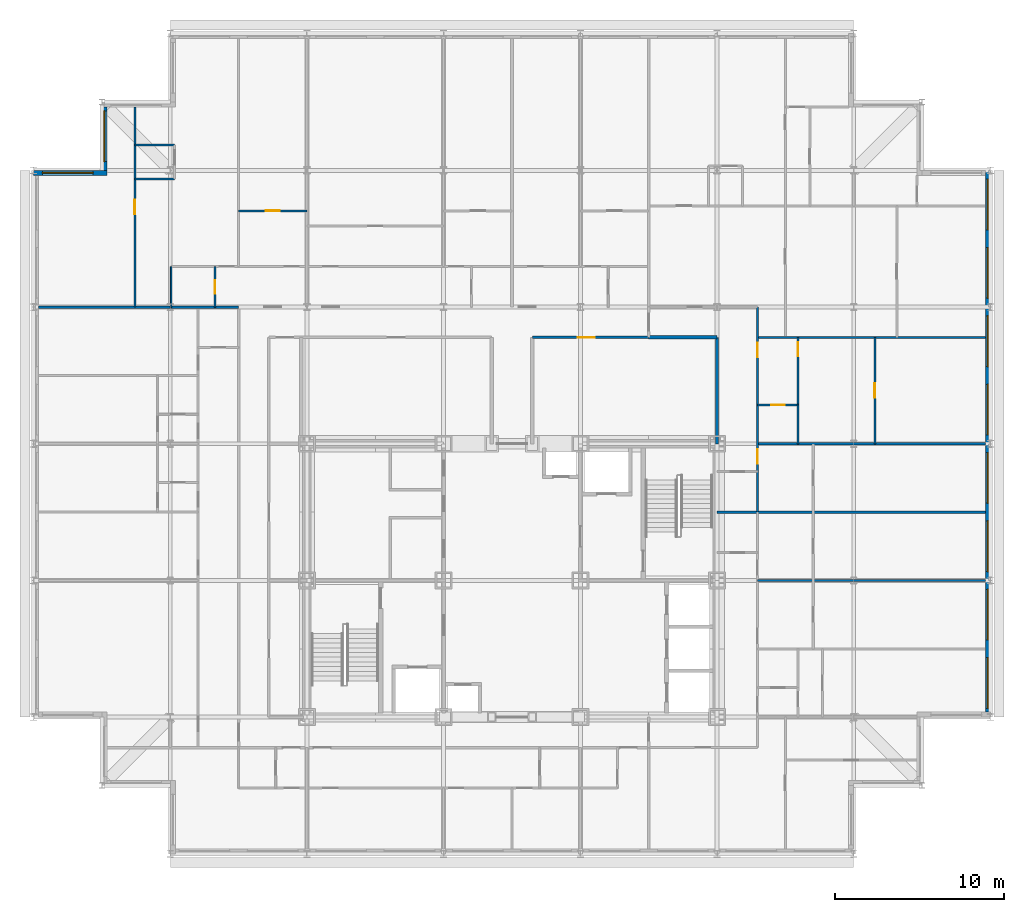
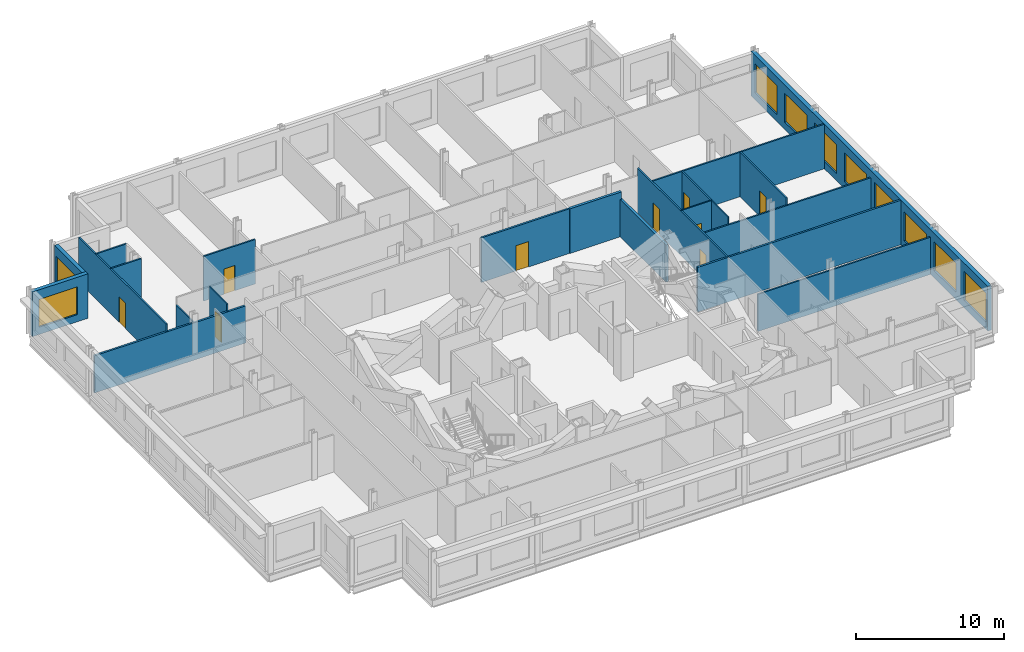
# One storey, part 11 of 15: 22 walls, 10 windows, 9 doors, 19 openings.
"""IFC4 building model written with IfcOpenShell, lengths in metres."""

from ifc_helpers import new_model, si_unit, direction, frame, frame_2d, origin, place, context, subcontext, project, spatial, rectangle, extrude, material, layer, layer_set, type_object, element, fill, save


model = new_model("IFC4")

# Units and contexts
model_context = context("Model", 3, precision=1e-05, world=origin(), true_north=direction((0.0, 1.0)))
body_context = subcontext(model_context, "Body", "Model", "MODEL_VIEW")
ifc_project = project(units=[si_unit("LENGTHUNIT", "METRE"), si_unit("AREAUNIT", "SQUARE_METRE"), si_unit("VOLUMEUNIT", "CUBIC_METRE"), si_unit("PLANEANGLEUNIT", "RADIAN"), si_unit("MASSUNIT", "GRAM", prefix="KILO")], contexts=[model_context])

# Site, building, storey
site_placement = place(None, origin())
site = spatial("IfcSite", under=ifc_project, at=site_placement, CompositionType="ELEMENT")
building_placement = place(site_placement, origin())
building = spatial("IfcBuilding", under=site, at=building_placement, Name="Kopane Lantern Tower", CompositionType="ELEMENT")
storey_placement = place(building_placement, frame((0.0, 0.0, 285.300048828125)))
storey = spatial("IfcBuildingStorey", under=building, at=storey_placement, Name="L73", CompositionType="ELEMENT", Elevation=285.300048828125)

# Wall
ifc_material_1 = material(Name="Gypsum board on steel studs", Category="steel")
ifc_layer_1 = layer(ifc_material_1, 0.1201171875)
ifc_layer_set_1 = layer_set([ifc_layer_1], Name="APARTMENT INTERNAL WALL 120")
wall_type_1 = type_object("IfcWallType", Name="APARTMENT INTERNAL WALL 120", PredefinedType="PARTITIONING", material=ifc_layer_set_1)
wall_1_placement = place(storey_placement, frame((42.89990234375, 32.39990234375, 0.0), z_axis=(0.0, 0.0, 1.0), x_axis=(1.0, 0.0, 0.0)))
element("IfcWall", 1, at=wall_1_placement, inside=storey, type_object=wall_type_1, Name="Apartment Internal Wall 120 L73", PredefinedType="PARTITIONING", context=body_context, shape_type="SweptSolid", body=[
    extrude(rectangle(XDim=13.5, YDim=0.1201171875, at=frame_2d((6.75, 0.0))), origin(), (0.0, 0.0, 1.0), 3.07763671875),
])

# Wall, openings, doors
wall_2_placement = place(storey_placement, frame((42.89990234375, 48.60009765625, 0.0), z_axis=(0.0, 0.0, 1.0), x_axis=(0.0, -1.0, 0.0)))
wall_2 = element("IfcWall", 2, at=wall_2_placement, inside=storey, type_object=wall_type_1, Name="Apartment Internal Wall 120 L73", PredefinedType="PARTITIONING", context=body_context, shape_type="SweptSolid", body=[
    extrude(rectangle(XDim=12.150146484375, YDim=0.1201171875, at=frame_2d((6.0751953125, 0.0))), origin(), (0.0, 0.0, 1.0), 3.68994140625),
])
opening_1_placement = place(wall_2_placement, frame((2.125, 0.0, 0.0)))
opening_1 = element("IfcOpeningElement", 3, at=opening_1_placement, cuts=wall_2, Name="Opening L73-052", PredefinedType="OPENING", context=body_context, shape_type="SweptSolid", body=[
    extrude(rectangle(XDim=0.85009765625, YDim=2.10009765625, at=frame_2d((0.425048828125, 1.050048828125))), frame((0.0, 0.070068359375, 0.0), z_axis=(0.0, -1.0, 0.0), x_axis=(1.0, 0.0, 0.0)), (0.0, 0.0, 1.0), 0.14013671875),
])
opening_2_placement = place(wall_2_placement, frame((8.425048828125, 0.0, 0.0)))
opening_2 = element("IfcOpeningElement", 4, at=opening_2_placement, cuts=wall_2, Name="Opening L73-053", PredefinedType="OPENING", context=body_context, shape_type="SweptSolid", body=[
    extrude(rectangle(XDim=0.85009765625, YDim=2.10009765625, at=frame_2d((0.425048828125, 1.050048828125))), frame((0.0, 0.070068359375, 0.0), z_axis=(0.0, -1.0, 0.0), x_axis=(1.0, 0.0, 0.0)), (0.0, 0.0, 1.0), 0.14013671875),
])
ifc_material_2 = material(Name="Timber door set", Category="wood")
door_type_1 = type_object("IfcDoorType", Name="DOOR D4 850x2100", OperationType="SINGLE_SWING_LEFT", PredefinedType="DOOR", material=ifc_material_2)
door_1_placement = place(opening_1_placement, origin())
door_1 = element("IfcDoor", 5, at=door_1_placement, inside=storey, type_object=door_type_1, Name="Door L73-052", OperationType="SINGLE_SWING_LEFT", OverallHeight=2.10009765625, OverallWidth=0.85009765625, PredefinedType="DOOR", context=body_context, shape_type="SweptSolid", body=[
    extrude(rectangle(XDim=0.85009765625, YDim=2.10009765625, at=frame_2d((0.425048828125, 1.050048828125))), frame((0.0, 0.02490234375, 0.0), z_axis=(0.0, -1.0, 0.0), x_axis=(1.0, 0.0, 0.0)), (0.0, 0.0, 1.0), 0.050048828125),
])
fill(opening_1, door_1)
door_2_placement = place(opening_2_placement, origin())
door_2 = element("IfcDoor", 6, at=door_2_placement, inside=storey, type_object=door_type_1, Name="Door L73-053", OperationType="SINGLE_SWING_LEFT", OverallHeight=2.10009765625, OverallWidth=0.85009765625, PredefinedType="DOOR", context=body_context, shape_type="SweptSolid", body=[
    extrude(rectangle(XDim=0.85009765625, YDim=2.10009765625, at=frame_2d((0.425048828125, 1.050048828125))), frame((0.0, 0.02490234375, 0.0), z_axis=(0.0, -1.0, 0.0), x_axis=(1.0, 0.0, 0.0)), (0.0, 0.0, 1.0), 0.050048828125),
])
fill(opening_2, door_2)

# Walls
wall_3_placement = place(storey_placement, frame((42.89990234375, 46.800048828125, 0.0), z_axis=(0.0, 0.0, 1.0), x_axis=(1.0, 0.0, 0.0)))
element("IfcWall", 7, at=wall_3_placement, inside=storey, type_object=wall_type_1, Name="Apartment Internal Wall 120 L73", PredefinedType="PARTITIONING", context=body_context, shape_type="SweptSolid", body=[
    extrude(rectangle(XDim=13.5, YDim=0.1201171875, at=frame_2d((6.75, 0.0))), origin(), (0.0, 0.0, 1.0), 3.68994140625),
])
wall_4_placement = place(storey_placement, frame((42.89990234375, 40.5, 0.0), z_axis=(0.0, 0.0, 1.0), x_axis=(1.0, 0.0, 0.0)))
element("IfcWall", 8, at=wall_4_placement, inside=storey, type_object=wall_type_1, Name="Apartment Internal Wall 120 L73", PredefinedType="PARTITIONING", context=body_context, shape_type="SweptSolid", body=[
    extrude(rectangle(XDim=13.5, YDim=0.1201171875, at=frame_2d((6.75, 0.0))), origin(), (0.0, 0.0, 1.0), 3.07763671875),
])

# Wall, opening, door
wall_5_placement = place(storey_placement, frame((45.300048828125, 46.800048828125, 0.0), z_axis=(0.0, 0.0, 1.0), x_axis=(0.0, -1.0, 0.0)))
wall_5 = element("IfcWall", 9, at=wall_5_placement, inside=storey, type_object=wall_type_1, Name="Apartment Internal Wall 120 L73", PredefinedType="PARTITIONING", context=body_context, shape_type="SweptSolid", body=[
    extrude(rectangle(XDim=4.010009765625, YDim=0.1201171875, at=frame_2d((2.0048828125, 0.0))), origin(), (0.0, 0.0, 1.0), 3.68994140625),
])
opening_3_placement = place(wall_5_placement, frame((0.27490234375, 0.0, 0.0)))
opening_3 = element("IfcOpeningElement", 10, at=opening_3_placement, cuts=wall_5, Name="Opening L73-059", PredefinedType="OPENING", context=body_context, shape_type="SweptSolid", body=[
    extrude(rectangle(XDim=0.85009765625, YDim=2.10009765625, at=frame_2d((0.425048828125, 1.050048828125))), frame((0.0, 0.070068359375, 0.0), z_axis=(0.0, -1.0, 0.0), x_axis=(1.0, 0.0, 0.0)), (0.0, 0.0, 1.0), 0.14013671875),
])
door_3_placement = place(opening_3_placement, origin())
door_3 = element("IfcDoor", 11, at=door_3_placement, inside=storey, type_object=door_type_1, Name="Door L73-059", OperationType="SINGLE_SWING_LEFT", OverallHeight=2.10009765625, OverallWidth=0.85009765625, PredefinedType="DOOR", context=body_context, shape_type="SweptSolid", body=[
    extrude(rectangle(XDim=0.85009765625, YDim=2.10009765625, at=frame_2d((0.425048828125, 1.050048828125))), frame((0.0, 0.02490234375, 0.0), z_axis=(0.0, -1.0, 0.0), x_axis=(1.0, 0.0, 0.0)), (0.0, 0.0, 1.0), 0.050048828125),
])
fill(opening_3, door_3)

wall_6_placement = place(storey_placement, frame((12.14990234375, 54.300048828125, 0.0), z_axis=(0.0, 0.0, 1.0), x_axis=(1.0, 0.0, 0.0)))
wall_6 = element("IfcWall", 12, at=wall_6_placement, inside=storey, type_object=wall_type_1, Name="Apartment Internal Wall 120 L73", PredefinedType="PARTITIONING", context=body_context, shape_type="SweptSolid", body=[
    extrude(rectangle(XDim=4.050048828125, YDim=0.1201171875, at=frame_2d((2.02490234375, 0.0))), origin(), (0.0, 0.0, 1.0), 3.68994140625),
])
opening_4_placement = place(wall_6_placement, frame((1.60009765625, 0.0, 0.0)))
opening_4 = element("IfcOpeningElement", 13, at=opening_4_placement, cuts=wall_6, Name="Opening L73-063", PredefinedType="OPENING", context=body_context, shape_type="SweptSolid", body=[
    extrude(rectangle(XDim=0.85009765625, YDim=2.10009765625, at=frame_2d((0.425048828125, 1.050048828125))), frame((0.0, 0.070068359375, 0.0), z_axis=(0.0, -1.0, 0.0), x_axis=(1.0, 0.0, 0.0)), (0.0, 0.0, 1.0), 0.14013671875),
])
door_4_placement = place(opening_4_placement, origin())
door_4 = element("IfcDoor", 14, at=door_4_placement, inside=storey, type_object=door_type_1, Name="Door L73-063", OperationType="SINGLE_SWING_RIGHT", OverallHeight=2.10009765625, OverallWidth=0.85009765625, PredefinedType="DOOR", context=body_context, shape_type="SweptSolid", body=[
    extrude(rectangle(XDim=0.85009765625, YDim=2.10009765625, at=frame_2d((0.425048828125, 1.050048828125))), frame((0.0, 0.02490234375, 0.0), z_axis=(0.0, -1.0, 0.0), x_axis=(1.0, 0.0, 0.0)), (0.0, 0.0, 1.0), 0.050048828125),
])
fill(opening_4, door_4)

wall_7_placement = place(storey_placement, frame((6.0, 48.60009765625, 0.0), z_axis=(0.0, 0.0, 1.0), x_axis=(0.0, 1.0, 0.0)))
wall_7 = element("IfcWall", 15, at=wall_7_placement, inside=storey, type_object=wall_type_1, Name="Apartment Internal Wall 120 L73", PredefinedType="PARTITIONING", context=body_context, shape_type="SweptSolid", body=[
    extrude(rectangle(XDim=11.849853515625, YDim=0.1201171875, at=frame_2d((5.9248046875, 0.0))), origin(), (0.0, 0.0, 1.0), 3.68994140625),
])
opening_5_placement = place(wall_7_placement, frame((5.5, 0.0, 0.0)))
opening_5 = element("IfcOpeningElement", 16, at=opening_5_placement, cuts=wall_7, Name="Opening L73-064", PredefinedType="OPENING", context=body_context, shape_type="SweptSolid", body=[
    extrude(rectangle(XDim=0.85009765625, YDim=2.10009765625, at=frame_2d((0.425048828125, 1.050048828125))), frame((0.0, 0.070068359375, 0.0), z_axis=(0.0, -1.0, 0.0), x_axis=(1.0, 0.0, 0.0)), (0.0, 0.0, 1.0), 0.14013671875),
])
door_5_placement = place(opening_5_placement, origin())
door_5 = element("IfcDoor", 17, at=door_5_placement, inside=storey, type_object=door_type_1, Name="Door L73-064", OperationType="SINGLE_SWING_LEFT", OverallHeight=2.10009765625, OverallWidth=0.85009765625, PredefinedType="DOOR", context=body_context, shape_type="SweptSolid", body=[
    extrude(rectangle(XDim=0.85009765625, YDim=2.10009765625, at=frame_2d((0.425048828125, 1.050048828125))), frame((0.0, 0.02490234375, 0.0), z_axis=(0.0, -1.0, 0.0), x_axis=(1.0, 0.0, 0.0)), (0.0, 0.0, 1.0), 0.050048828125),
])
fill(opening_5, door_5)

wall_8_placement = place(storey_placement, frame((49.85009765625, 40.5, 0.0), z_axis=(0.0, 0.0, 1.0), x_axis=(0.0, 1.0, 0.0)))
wall_8 = element("IfcWall", 18, at=wall_8_placement, inside=storey, type_object=wall_type_1, Name="Apartment Internal Wall 120 L73", PredefinedType="PARTITIONING", context=body_context, shape_type="SweptSolid", body=[
    extrude(rectangle(XDim=6.300048828125, YDim=0.1201171875, at=frame_2d((3.14990234375, 0.0))), origin(), (0.0, 0.0, 1.0), 3.68994140625),
])
opening_6_placement = place(wall_8_placement, frame((2.72509765625, 0.0, 0.0)))
opening_6 = element("IfcOpeningElement", 19, at=opening_6_placement, cuts=wall_8, Name="Opening L73-071", PredefinedType="OPENING", context=body_context, shape_type="SweptSolid", body=[
    extrude(rectangle(XDim=0.85009765625, YDim=2.10009765625, at=frame_2d((0.425048828125, 1.050048828125))), frame((0.0, 0.070068359375, 0.0), z_axis=(0.0, -1.0, 0.0), x_axis=(1.0, 0.0, 0.0)), (0.0, 0.0, 1.0), 0.14013671875),
])
door_6_placement = place(opening_6_placement, origin())
door_6 = element("IfcDoor", 20, at=door_6_placement, inside=storey, type_object=door_type_1, Name="Door L73-071", OperationType="SINGLE_SWING_LEFT", OverallHeight=2.10009765625, OverallWidth=0.85009765625, PredefinedType="DOOR", context=body_context, shape_type="SweptSolid", body=[
    extrude(rectangle(XDim=0.85009765625, YDim=2.10009765625, at=frame_2d((0.425048828125, 1.050048828125))), frame((0.0, 0.02490234375, 0.0), z_axis=(0.0, -1.0, 0.0), x_axis=(1.0, 0.0, 0.0)), (0.0, 0.0, 1.0), 0.050048828125),
])
fill(opening_6, door_6)

# Walls
for number, where, z_axis, x_axis, name in (
    (21, (6.0, 56.197021484375, 0.0), (0.0, 0.0, 1.0), (1.0, 0.0, 0.0), "Apartment Internal Wall 120 L73"),
    (22, (6.0, 58.202880859375, 0.0), (0.0, 0.0, 1.0), (1.0, 0.0, 0.0), "Apartment Internal Wall 120 L73"),
):
    element("IfcWall", number, at=place(storey_placement, frame(where, z_axis=z_axis, x_axis=x_axis)), inside=storey, type_object=wall_type_1, Name=name, PredefinedType="PARTITIONING", context=body_context, shape_type="SweptSolid", body=[
        extrude(rectangle(XDim=2.363037109375, YDim=0.1201171875, at=frame_2d((1.181640625, 0.0))), origin(), (0.0, 0.0, 1.0), 3.68994140625),
    ])

# Wall, opening, door
ifc_material_3 = material(Name="Moisture-resistant board on steel studs", Category="steel")
ifc_layer_2 = layer(ifc_material_3, 0.10009765625)
ifc_layer_set_2 = layer_set([ifc_layer_2], Name="BATHROOM WALL 100")
wall_type_2 = type_object("IfcWallType", Name="BATHROOM WALL 100", PredefinedType="PARTITIONING", material=ifc_layer_set_2)
wall_9_placement = place(storey_placement, frame((10.75, 48.60009765625, 0.0), z_axis=(0.0, 0.0, 1.0), x_axis=(0.0, 1.0, 0.0)))
wall_9 = element("IfcWall", 23, at=wall_9_placement, inside=storey, type_object=wall_type_2, Name="Bathroom Wall 100 L73", PredefinedType="PARTITIONING", context=body_context, shape_type="SweptSolid", body=[
    extrude(rectangle(XDim=2.39990234375, YDim=0.10009765625, at=frame_2d((1.199951171875, 0.0))), origin(), (0.0, 0.0, 1.0), 3.68994140625),
])
opening_7_placement = place(wall_9_placement, frame((0.800048828125, 0.0, 0.0)))
opening_7 = element("IfcOpeningElement", 24, at=opening_7_placement, cuts=wall_9, Name="Opening L73-035", PredefinedType="OPENING", context=body_context, shape_type="SweptSolid", body=[
    extrude(rectangle(XDim=0.800048828125, YDim=2.10009765625, at=frame_2d((0.39990234375, 1.050048828125))), frame((0.0, 0.06005859375, 0.0), z_axis=(0.0, -1.0, 0.0), x_axis=(1.0, 0.0, 0.0)), (0.0, 0.0, 1.0), 0.1201171875),
])
ifc_material_4 = material(Name="Timber door set", Category="wood")
door_type_2 = type_object("IfcDoorType", Name="DOOR D2 800x2100", OperationType="SINGLE_SWING_LEFT", PredefinedType="DOOR", material=ifc_material_4)
door_7_placement = place(opening_7_placement, origin())
door_7 = element("IfcDoor", 25, at=door_7_placement, inside=storey, type_object=door_type_2, Name="Door L73-035", OperationType="SINGLE_SWING_LEFT", OverallHeight=2.10009765625, OverallWidth=0.800048828125, PredefinedType="DOOR", context=body_context, shape_type="SweptSolid", body=[
    extrude(rectangle(XDim=0.800048828125, YDim=2.10009765625, at=frame_2d((0.39990234375, 1.050048828125))), frame((0.0, 0.02490234375, 0.0), z_axis=(0.0, -1.0, 0.0), x_axis=(1.0, 0.0, 0.0)), (0.0, 0.0, 1.0), 0.050048828125),
])
fill(opening_7, door_7)

# Wall
wall_10_placement = place(storey_placement, frame((8.14990234375, 48.60009765625, 0.0), z_axis=(0.0, 0.0, 1.0), x_axis=(0.0, 1.0, 0.0)))
element("IfcWall", 26, at=wall_10_placement, inside=storey, type_object=wall_type_2, Name="Bathroom Wall 100 L73", PredefinedType="PARTITIONING", context=body_context, shape_type="SweptSolid", body=[
    extrude(rectangle(XDim=2.39990234375, YDim=0.10009765625, at=frame_2d((1.199951171875, 0.0))), origin(), (0.0, 0.0, 1.0), 3.07763671875),
])

# Wall, opening, door
wall_11_placement = place(storey_placement, frame((42.89990234375, 42.800048828125, 0.0), z_axis=(0.0, 0.0, 1.0), x_axis=(1.0, 0.0, 0.0)))
wall_11 = element("IfcWall", 27, at=wall_11_placement, inside=storey, type_object=wall_type_2, Name="Bathroom Wall 100 L73", PredefinedType="PARTITIONING", context=body_context, shape_type="SweptSolid", body=[
    extrude(rectangle(XDim=2.400146484375, YDim=0.10009765625, at=frame_2d((1.2001953125, 0.0))), origin(), (0.0, 0.0, 1.0), 3.68994140625),
])
opening_8_placement = place(wall_11_placement, frame((0.800048828125, 0.0, 0.0)))
opening_8 = element("IfcOpeningElement", 28, at=opening_8_placement, cuts=wall_11, Name="Opening L73-051", PredefinedType="OPENING", context=body_context, shape_type="SweptSolid", body=[
    extrude(rectangle(XDim=0.800048828125, YDim=2.10009765625, at=frame_2d((0.39990234375, 1.050048828125))), frame((0.0, 0.06005859375, 0.0), z_axis=(0.0, -1.0, 0.0), x_axis=(1.0, 0.0, 0.0)), (0.0, 0.0, 1.0), 0.1201171875),
])
door_8_placement = place(opening_8_placement, origin())
door_8 = element("IfcDoor", 29, at=door_8_placement, inside=storey, type_object=door_type_2, Name="Door L73-051", OperationType="SINGLE_SWING_LEFT", OverallHeight=2.10009765625, OverallWidth=0.800048828125, PredefinedType="DOOR", context=body_context, shape_type="SweptSolid", body=[
    extrude(rectangle(XDim=0.800048828125, YDim=2.10009765625, at=frame_2d((0.39990234375, 1.050048828125))), frame((0.0, 0.02490234375, 0.0), z_axis=(0.0, -1.0, 0.0), x_axis=(1.0, 0.0, 0.0)), (0.0, 0.0, 1.0), 0.050048828125),
])
fill(opening_8, door_8)

# Wall
wall_12_placement = place(storey_placement, frame((45.300048828125, 42.800048828125, 0.0), z_axis=(0.0, 0.0, 1.0), x_axis=(0.0, -1.0, 0.0)))
element("IfcWall", 30, at=wall_12_placement, inside=storey, type_object=wall_type_2, Name="Bathroom Wall 100 L73", PredefinedType="PARTITIONING", context=body_context, shape_type="SweptSolid", body=[
    extrude(rectangle(XDim=2.300048828125, YDim=0.10009765625, at=frame_2d((1.14990234375, 0.0))), origin(), (0.0, 0.0, 1.0), 3.68994140625),
])

# Wall, opening, door
ifc_material_5 = material(Name="Gypsum board on steel studs", Category="steel")
ifc_layer_3 = layer(ifc_material_5, 0.14990234375)
ifc_layer_set_3 = layer_set([ifc_layer_3], Name="CORRIDOR WALL 150 EI 60")
wall_type_3 = type_object("IfcWallType", Name="CORRIDOR WALL 150 EI 60", PredefinedType="PARTITIONING", material=ifc_layer_set_3)
wall_13_placement = place(storey_placement, frame((29.56005859375, 46.800048828125, 0.0), z_axis=(0.0, 0.0, 1.0), x_axis=(1.0, 0.0, 0.0)))
wall_13 = element("IfcWall", 31, at=wall_13_placement, inside=storey, type_object=wall_type_3, Name="Corridor Wall 150 Ei 60 L73", PredefinedType="PARTITIONING", context=body_context, shape_type="SweptSolid", body=[
    extrude(rectangle(XDim=6.889892578125, YDim=0.14990234375, at=frame_2d((3.44482421875, 0.0))), origin(), (0.0, 0.0, 1.0), 3.68994140625),
])
opening_9_placement = place(wall_13_placement, frame((2.68994140625, 0.0, 0.0)))
opening_9 = element("IfcOpeningElement", 32, at=opening_9_placement, cuts=wall_13, Name="Opening L73-005", PredefinedType="OPENING", context=body_context, shape_type="SweptSolid", body=[
    extrude(rectangle(XDim=1.0, YDim=2.10009765625, at=frame_2d((0.5, 1.050048828125))), frame((0.0, 0.0849609375, 0.0), z_axis=(0.0, -1.0, 0.0), x_axis=(1.0, 0.0, 0.0)), (0.0, 0.0, 1.0), 0.169921875),
])
ifc_material_6 = material(Name="Steel door set", Category="steel")
door_type_3 = type_object("IfcDoorType", Name="DOOR D5 1000x2100 FD60", OperationType="SINGLE_SWING_LEFT", PredefinedType="DOOR", material=ifc_material_6)
door_9_placement = place(opening_9_placement, origin())
door_9 = element("IfcDoor", 33, at=door_9_placement, inside=storey, type_object=door_type_3, Name="Door L73-005", OperationType="SINGLE_SWING_RIGHT", OverallHeight=2.10009765625, OverallWidth=1.0, PredefinedType="DOOR", context=body_context, shape_type="SweptSolid", body=[
    extrude(rectangle(XDim=1.0, YDim=2.10009765625, at=frame_2d((0.5, 1.050048828125))), frame((0.0, 0.02490234375, 0.0), z_axis=(0.0, -1.0, 0.0), x_axis=(1.0, 0.0, 0.0)), (0.0, 0.0, 1.0), 0.050048828125),
])
fill(opening_9, door_9)

# Walls
ifc_material_7 = material(Name="Gypsum board on steel studs", Category="steel")
ifc_layer_4 = layer(ifc_material_7, 0.14990234375)
ifc_layer_set_4 = layer_set([ifc_layer_4], Name="DEMISING WALL 150 EI 60")
wall_type_4 = type_object("IfcWallType", Name="DEMISING WALL 150 EI 60", PredefinedType="PARTITIONING", material=ifc_layer_set_4)
wall_14_placement = place(storey_placement, frame((0.300048828125, 48.60009765625, 0.0), z_axis=(0.0, 0.0, 1.0), x_axis=(1.0, 0.0, 0.0)))
element("IfcWall", 34, at=wall_14_placement, inside=storey, type_object=wall_type_4, Name="Demising Wall 150 Ei 60 L73", PredefinedType="PARTITIONING", context=body_context, shape_type="SweptSolid", body=[
    extrude(rectangle(XDim=11.849853515625, YDim=0.14990234375, at=frame_2d((5.9248046875, 0.0))), origin(), (0.0, 0.0, 1.0), 3.07763671875),
])
wall_15_placement = place(storey_placement, frame((40.5, 36.449951171875, 0.0), z_axis=(0.0, 0.0, 1.0), x_axis=(1.0, 0.0, 0.0)))
element("IfcWall", 35, at=wall_15_placement, inside=storey, type_object=wall_type_4, Name="Demising Wall 150 Ei 60 L73", PredefinedType="PARTITIONING", context=body_context, shape_type="SweptSolid", body=[
    extrude(rectangle(XDim=15.89990234375, YDim=0.14990234375, at=frame_2d((7.949951171875, 0.0))), origin(), (0.0, 0.0, 1.0), 3.68994140625),
])

# Wall, openings, windows
ifc_material_8 = material(Name="Terracotta rainscreen on light steel framing", Category="masonry")
ifc_layer_5 = layer(ifc_material_8, 0.300048828125)
ifc_layer_set_5 = layer_set([ifc_layer_5], Name="EXTERNAL WALL EW1 300 TERRACOTTA")
wall_type_5 = type_object("IfcWallType", Name="EXTERNAL WALL EW1 300 TERRACOTTA", PredefinedType="SOLIDWALL", material=ifc_layer_set_5)
wall_16_placement = place(storey_placement, frame((56.550048828125, 24.60009765625, 0.0), z_axis=(0.0, 0.0, 1.0), x_axis=(0.0, 1.0, 0.0)))
wall_16 = element("IfcWall", 36, at=wall_16_placement, inside=storey, type_object=wall_type_5, Name="External wall E L73", PredefinedType="SOLIDWALL", context=body_context, shape_type="SweptSolid", body=[
    extrude(rectangle(XDim=32.099853515625, YDim=0.300048828125, at=frame_2d((16.0498046875, 0.0))), origin(), (0.0, 0.0, 1.0), 3.68994140625),
])
opening_10_placement = place(wall_16_placement, frame((0.22509765625, 0.0, 0.60009765625)))
opening_10 = element("IfcOpeningElement", 37, at=opening_10_placement, cuts=wall_16, Name="Opening WR300240", PredefinedType="OPENING", context=body_context, shape_type="SweptSolid", body=[
    extrude(rectangle(XDim=3.0, YDim=2.39990234375, at=frame_2d((1.5, 1.199951171875))), frame((0.0, 0.159912109375, 0.0), z_axis=(0.0, -1.0, 0.0), x_axis=(1.0, 0.0, 0.0)), (0.0, 0.0, 1.0), 0.320068359375),
])
opening_11_placement = place(wall_16_placement, frame((4.27490234375, 0.0, 0.60009765625)))
opening_11 = element("IfcOpeningElement", 38, at=opening_11_placement, cuts=wall_16, Name="Opening WR300240", PredefinedType="OPENING", context=body_context, shape_type="SweptSolid", body=[
    extrude(rectangle(XDim=3.0, YDim=2.39990234375, at=frame_2d((1.5, 1.199951171875))), frame((0.0, 0.159912109375, 0.0), z_axis=(0.0, -1.0, 0.0), x_axis=(1.0, 0.0, 0.0)), (0.0, 0.0, 1.0), 0.320068359375),
])
opening_12_placement = place(wall_16_placement, frame((8.324951171875, 0.0, 0.60009765625)))
opening_12 = element("IfcOpeningElement", 39, at=opening_12_placement, cuts=wall_16, Name="Opening WR300240", PredefinedType="OPENING", context=body_context, shape_type="SweptSolid", body=[
    extrude(rectangle(XDim=3.0, YDim=2.39990234375, at=frame_2d((1.5, 1.199951171875))), frame((0.0, 0.159912109375, 0.0), z_axis=(0.0, -1.0, 0.0), x_axis=(1.0, 0.0, 0.0)), (0.0, 0.0, 1.0), 0.320068359375),
])
opening_13_placement = place(wall_16_placement, frame((12.375, 0.0, 0.60009765625)))
opening_13 = element("IfcOpeningElement", 40, at=opening_13_placement, cuts=wall_16, Name="Opening WR300240", PredefinedType="OPENING", context=body_context, shape_type="SweptSolid", body=[
    extrude(rectangle(XDim=3.0, YDim=2.39990234375, at=frame_2d((1.5, 1.199951171875))), frame((0.0, 0.159912109375, 0.0), z_axis=(0.0, -1.0, 0.0), x_axis=(1.0, 0.0, 0.0)), (0.0, 0.0, 1.0), 0.320068359375),
])
opening_14_placement = place(wall_16_placement, frame((16.425048828125, 0.0, 0.60009765625)))
opening_14 = element("IfcOpeningElement", 41, at=opening_14_placement, cuts=wall_16, Name="Opening WR300240", PredefinedType="OPENING", context=body_context, shape_type="SweptSolid", body=[
    extrude(rectangle(XDim=3.0, YDim=2.39990234375, at=frame_2d((1.5, 1.199951171875))), frame((0.0, 0.159912109375, 0.0), z_axis=(0.0, -1.0, 0.0), x_axis=(1.0, 0.0, 0.0)), (0.0, 0.0, 1.0), 0.320068359375),
])
opening_15_placement = place(wall_16_placement, frame((20.47509765625, 0.0, 0.60009765625)))
opening_15 = element("IfcOpeningElement", 42, at=opening_15_placement, cuts=wall_16, Name="Opening WR300240", PredefinedType="OPENING", context=body_context, shape_type="SweptSolid", body=[
    extrude(rectangle(XDim=3.0, YDim=2.39990234375, at=frame_2d((1.5, 1.199951171875))), frame((0.0, 0.159912109375, 0.0), z_axis=(0.0, -1.0, 0.0), x_axis=(1.0, 0.0, 0.0)), (0.0, 0.0, 1.0), 0.320068359375),
])
opening_16_placement = place(wall_16_placement, frame((24.52490234375, 0.0, 0.60009765625)))
opening_16 = element("IfcOpeningElement", 43, at=opening_16_placement, cuts=wall_16, Name="Opening WR300240", PredefinedType="OPENING", context=body_context, shape_type="SweptSolid", body=[
    extrude(rectangle(XDim=3.0, YDim=2.39990234375, at=frame_2d((1.5, 1.199951171875))), frame((0.0, 0.159912109375, 0.0), z_axis=(0.0, -1.0, 0.0), x_axis=(1.0, 0.0, 0.0)), (0.0, 0.0, 1.0), 0.320068359375),
])
opening_17_placement = place(wall_16_placement, frame((28.574951171875, 0.0, 0.60009765625)))
opening_17 = element("IfcOpeningElement", 44, at=opening_17_placement, cuts=wall_16, Name="Opening WR300240", PredefinedType="OPENING", context=body_context, shape_type="SweptSolid", body=[
    extrude(rectangle(XDim=3.0, YDim=2.39990234375, at=frame_2d((1.5, 1.199951171875))), frame((0.0, 0.159912109375, 0.0), z_axis=(0.0, -1.0, 0.0), x_axis=(1.0, 0.0, 0.0)), (0.0, 0.0, 1.0), 0.320068359375),
])
ifc_material_9 = material(Name="Aluminium and clear glass", Category="aluminium")
window_type_1 = type_object("IfcWindowType", Name="RIBBON WINDOW WR300240 3000x2400", PartitioningType="SINGLE_PANEL", PredefinedType="WINDOW", material=ifc_material_9)
window_1_placement = place(opening_10_placement, origin())
window_1 = element("IfcWindow", 45, at=window_1_placement, inside=storey, type_object=window_type_1, Name="Window E L73", OverallHeight=2.39990234375, OverallWidth=3.0, PartitioningType="SINGLE_PANEL", PredefinedType="WINDOW", context=body_context, shape_type="SweptSolid", body=[
    extrude(rectangle(XDim=3.0, YDim=2.39990234375, at=frame_2d((1.5, 1.199951171875))), frame((0.0, 0.030029296875, 0.0), z_axis=(0.0, -1.0, 0.0), x_axis=(1.0, 0.0, 0.0)), (0.0, 0.0, 1.0), 0.06005859375),
])
fill(opening_10, window_1)
window_2_placement = place(opening_11_placement, origin())
window_2 = element("IfcWindow", 46, at=window_2_placement, inside=storey, type_object=window_type_1, Name="Window E L73", OverallHeight=2.39990234375, OverallWidth=3.0, PartitioningType="SINGLE_PANEL", PredefinedType="WINDOW", context=body_context, shape_type="SweptSolid", body=[
    extrude(rectangle(XDim=3.0, YDim=2.39990234375, at=frame_2d((1.5, 1.199951171875))), frame((0.0, 0.030029296875, 0.0), z_axis=(0.0, -1.0, 0.0), x_axis=(1.0, 0.0, 0.0)), (0.0, 0.0, 1.0), 0.06005859375),
])
fill(opening_11, window_2)
window_3_placement = place(opening_12_placement, origin())
window_3 = element("IfcWindow", 47, at=window_3_placement, inside=storey, type_object=window_type_1, Name="Window E L73", OverallHeight=2.39990234375, OverallWidth=3.0, PartitioningType="SINGLE_PANEL", PredefinedType="WINDOW", context=body_context, shape_type="SweptSolid", body=[
    extrude(rectangle(XDim=3.0, YDim=2.39990234375, at=frame_2d((1.5, 1.199951171875))), frame((0.0, 0.030029296875, 0.0), z_axis=(0.0, -1.0, 0.0), x_axis=(1.0, 0.0, 0.0)), (0.0, 0.0, 1.0), 0.06005859375),
])
fill(opening_12, window_3)
window_4_placement = place(opening_13_placement, origin())
window_4 = element("IfcWindow", 48, at=window_4_placement, inside=storey, type_object=window_type_1, Name="Window E L73", OverallHeight=2.39990234375, OverallWidth=3.0, PartitioningType="SINGLE_PANEL", PredefinedType="WINDOW", context=body_context, shape_type="SweptSolid", body=[
    extrude(rectangle(XDim=3.0, YDim=2.39990234375, at=frame_2d((1.5, 1.199951171875))), frame((0.0, 0.030029296875, 0.0), z_axis=(0.0, -1.0, 0.0), x_axis=(1.0, 0.0, 0.0)), (0.0, 0.0, 1.0), 0.06005859375),
])
fill(opening_13, window_4)
window_5_placement = place(opening_14_placement, origin())
window_5 = element("IfcWindow", 49, at=window_5_placement, inside=storey, type_object=window_type_1, Name="Window E L73", OverallHeight=2.39990234375, OverallWidth=3.0, PartitioningType="SINGLE_PANEL", PredefinedType="WINDOW", context=body_context, shape_type="SweptSolid", body=[
    extrude(rectangle(XDim=3.0, YDim=2.39990234375, at=frame_2d((1.5, 1.199951171875))), frame((0.0, 0.030029296875, 0.0), z_axis=(0.0, -1.0, 0.0), x_axis=(1.0, 0.0, 0.0)), (0.0, 0.0, 1.0), 0.06005859375),
])
fill(opening_14, window_5)
window_6_placement = place(opening_15_placement, origin())
window_6 = element("IfcWindow", 50, at=window_6_placement, inside=storey, type_object=window_type_1, Name="Window E L73", OverallHeight=2.39990234375, OverallWidth=3.0, PartitioningType="SINGLE_PANEL", PredefinedType="WINDOW", context=body_context, shape_type="SweptSolid", body=[
    extrude(rectangle(XDim=3.0, YDim=2.39990234375, at=frame_2d((1.5, 1.199951171875))), frame((0.0, 0.030029296875, 0.0), z_axis=(0.0, -1.0, 0.0), x_axis=(1.0, 0.0, 0.0)), (0.0, 0.0, 1.0), 0.06005859375),
])
fill(opening_15, window_6)
window_7_placement = place(opening_16_placement, origin())
window_7 = element("IfcWindow", 51, at=window_7_placement, inside=storey, type_object=window_type_1, Name="Window E L73", OverallHeight=2.39990234375, OverallWidth=3.0, PartitioningType="SINGLE_PANEL", PredefinedType="WINDOW", context=body_context, shape_type="SweptSolid", body=[
    extrude(rectangle(XDim=3.0, YDim=2.39990234375, at=frame_2d((1.5, 1.199951171875))), frame((0.0, 0.030029296875, 0.0), z_axis=(0.0, -1.0, 0.0), x_axis=(1.0, 0.0, 0.0)), (0.0, 0.0, 1.0), 0.06005859375),
])
fill(opening_16, window_7)
window_8_placement = place(opening_17_placement, origin())
window_8 = element("IfcWindow", 52, at=window_8_placement, inside=storey, type_object=window_type_1, Name="Window E L73", OverallHeight=2.39990234375, OverallWidth=3.0, PartitioningType="SINGLE_PANEL", PredefinedType="WINDOW", context=body_context, shape_type="SweptSolid", body=[
    extrude(rectangle(XDim=3.0, YDim=2.39990234375, at=frame_2d((1.5, 1.199951171875))), frame((0.0, 0.030029296875, 0.0), z_axis=(0.0, -1.0, 0.0), x_axis=(1.0, 0.0, 0.0)), (0.0, 0.0, 1.0), 0.06005859375),
])
fill(opening_17, window_8)

# Wall, opening, window
wall_17_placement = place(storey_placement, frame((4.199951171875, 60.449951171875, 0.0), z_axis=(0.0, 0.0, 1.0), x_axis=(0.0, -1.0, 0.0)))
wall_17 = element("IfcWall", 53, at=wall_17_placement, inside=storey, type_object=wall_type_5, Name="External wall W L73", PredefinedType="SOLIDWALL", context=body_context, shape_type="SweptSolid", body=[
    extrude(rectangle(XDim=3.75, YDim=0.300048828125, at=frame_2d((1.875, 0.0))), origin(), (0.0, 0.0, 1.0), 3.68994140625),
])
opening_18_placement = place(wall_17_placement, frame((0.22509765625, 0.0, 0.60009765625)))
opening_18 = element("IfcOpeningElement", 54, at=opening_18_placement, cuts=wall_17, Name="Opening WR300230", PredefinedType="OPENING", context=body_context, shape_type="SweptSolid", body=[
    extrude(rectangle(XDim=3.0, YDim=2.300048828125, at=frame_2d((1.5, 1.14990234375))), frame((0.0, 0.159912109375, 0.0), z_axis=(0.0, -1.0, 0.0), x_axis=(1.0, 0.0, 0.0)), (0.0, 0.0, 1.0), 0.320068359375),
])
ifc_material_10 = material(Name="Aluminium and clear glass", Category="aluminium")
window_type_2 = type_object("IfcWindowType", Name="RIBBON WINDOW WR300230 3000x2300", PartitioningType="SINGLE_PANEL", PredefinedType="WINDOW", material=ifc_material_10)
window_9_placement = place(opening_18_placement, origin())
window_9 = element("IfcWindow", 55, at=window_9_placement, inside=storey, type_object=window_type_2, Name="Window W L73", OverallHeight=2.300048828125, OverallWidth=3.0, PartitioningType="SINGLE_PANEL", PredefinedType="WINDOW", context=body_context, shape_type="SweptSolid", body=[
    extrude(rectangle(XDim=3.0, YDim=2.300048828125, at=frame_2d((1.5, 1.14990234375))), frame((0.0, 0.030029296875, 0.0), z_axis=(0.0, -1.0, 0.0), x_axis=(1.0, 0.0, 0.0)), (0.0, 0.0, 1.0), 0.06005859375),
])
fill(opening_18, window_9)

wall_18_placement = place(storey_placement, frame((4.35009765625, 56.550048828125, 0.0), z_axis=(0.0, 0.0, 1.0), x_axis=(-1.0, 0.0, 0.0)))
wall_18 = element("IfcWall", 56, at=wall_18_placement, inside=storey, type_object=wall_type_5, Name="External wall N L73", PredefinedType="SOLIDWALL", context=body_context, shape_type="SweptSolid", body=[
    extrude(rectangle(XDim=4.35009765625, YDim=0.300048828125, at=frame_2d((2.175048828125, 0.0))), origin(), (0.0, 0.0, 1.0), 3.68994140625),
])
opening_19_placement = place(wall_18_placement, frame((0.824951171875, 0.0, 0.60009765625)))
opening_19 = element("IfcOpeningElement", 57, at=opening_19_placement, cuts=wall_18, Name="Opening WR300230", PredefinedType="OPENING", context=body_context, shape_type="SweptSolid", body=[
    extrude(rectangle(XDim=3.0, YDim=2.300048828125, at=frame_2d((1.5, 1.14990234375))), frame((0.0, 0.159912109375, 0.0), z_axis=(0.0, -1.0, 0.0), x_axis=(1.0, 0.0, 0.0)), (0.0, 0.0, 1.0), 0.320068359375),
])
window_10_placement = place(opening_19_placement, origin())
window_10 = element("IfcWindow", 58, at=window_10_placement, inside=storey, type_object=window_type_2, Name="Window N L73", OverallHeight=2.300048828125, OverallWidth=3.0, PartitioningType="SINGLE_PANEL", PredefinedType="WINDOW", context=body_context, shape_type="SweptSolid", body=[
    extrude(rectangle(XDim=3.0, YDim=2.300048828125, at=frame_2d((1.5, 1.14990234375))), frame((0.0, 0.030029296875, 0.0), z_axis=(0.0, -1.0, 0.0), x_axis=(1.0, 0.0, 0.0)), (0.0, 0.0, 1.0), 0.06005859375),
])
fill(opening_19, window_10)

# Walls
ifc_material_11 = material(Name="Concrete masonry", Category="masonry")
ifc_layer_6 = layer(ifc_material_11, 0.199951171875)
ifc_layer_set_6 = layer_set([ifc_layer_6], Name="PLANT ROOM WALL 200 EI 120")
wall_type_6 = type_object("IfcWallType", Name="PLANT ROOM WALL 200 EI 120", PredefinedType="SOLIDWALL", material=ifc_layer_set_6)
wall_19_placement = place(storey_placement, frame((40.5, 40.5, 0.0), z_axis=(0.0, 0.0, 1.0), x_axis=(0.0, 1.0, 0.0)))
element("IfcWall", 59, at=wall_19_placement, inside=storey, type_object=wall_type_6, Name="Plant Room Wall 200 Ei 120 L73", PredefinedType="SOLIDWALL", context=body_context, shape_type="SweptSolid", body=[
    extrude(rectangle(XDim=6.300048828125, YDim=0.199951171875, at=frame_2d((3.14990234375, 0.0))), origin(), (0.0, 0.0, 1.0), 3.07763671875),
])
wall_20_placement = place(storey_placement, frame((36.449951171875, 46.800048828125, 0.0), z_axis=(0.0, 0.0, 1.0), x_axis=(1.0, 0.0, 0.0)))
element("IfcWall", 60, at=wall_20_placement, inside=storey, type_object=wall_type_6, Name="Plant Room Wall 200 Ei 120 L73", PredefinedType="SOLIDWALL", context=body_context, shape_type="SweptSolid", body=[
    extrude(rectangle(XDim=4.050048828125, YDim=0.199951171875, at=frame_2d((2.02490234375, 0.0))), origin(), (0.0, 0.0, 1.0), 3.68994140625),
])

save(model, "model.ifc")
